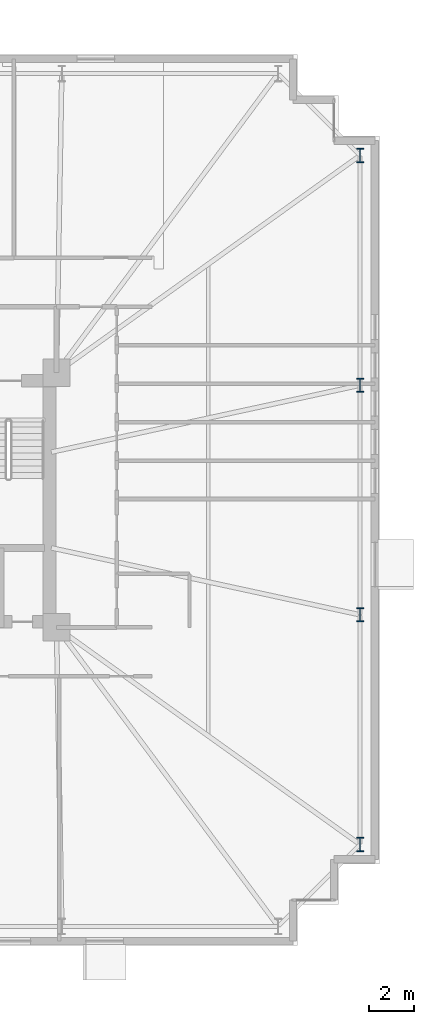
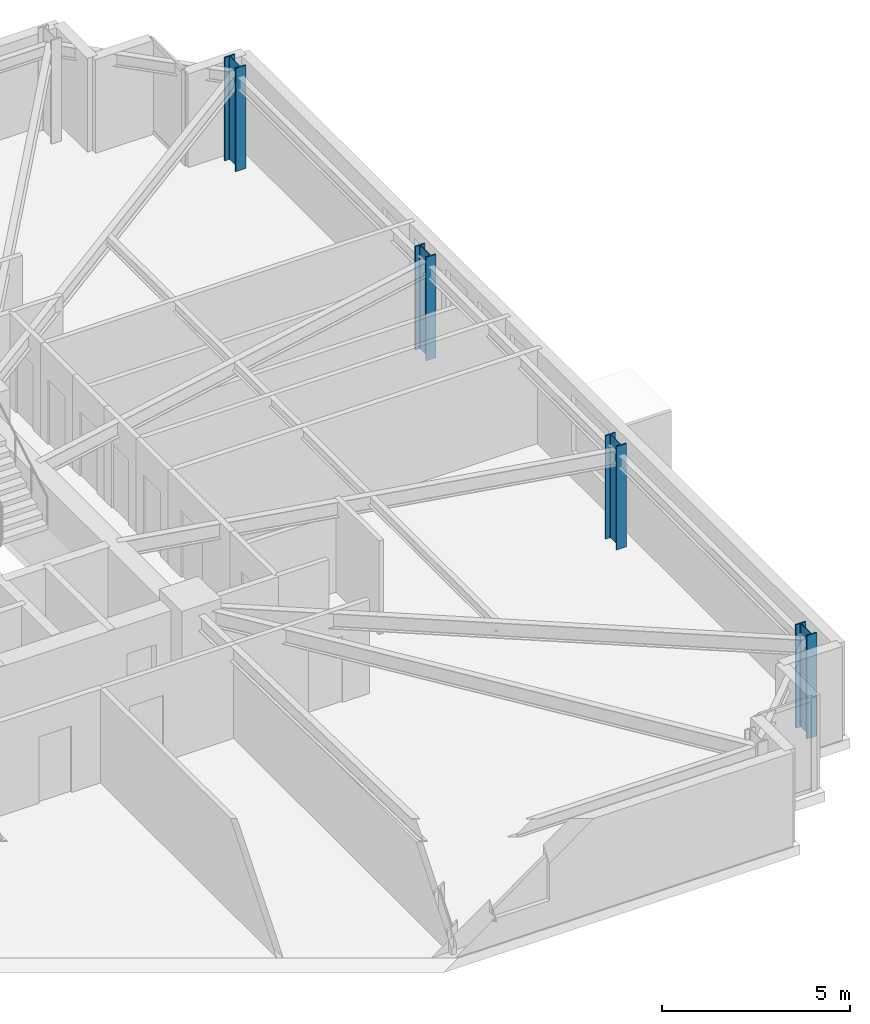
# One storey, part 3 of 22: 4 columns.
"""IFC4 building model written with IfcOpenShell, lengths in metres."""

from ifc_helpers import new_model, si_unit, direction, frame, origin, origin_2d, place, context, subcontext, project, spatial, i_section, extrude, material, material_profile, profile_set, type_object, element, save


model = new_model("IFC4")

# Units and contexts
model_context = context("Model", 3, precision=1e-05, world=origin(), true_north=direction((0.0, 1.0)))
body_context = subcontext(model_context, "Body", "Model", "MODEL_VIEW")
ifc_project = project(units=[si_unit("LENGTHUNIT", "METRE"), si_unit("AREAUNIT", "SQUARE_METRE"), si_unit("VOLUMEUNIT", "CUBIC_METRE"), si_unit("PLANEANGLEUNIT", "RADIAN"), si_unit("MASSUNIT", "GRAM", prefix="KILO")], contexts=[model_context])

# Site, building, storey
site_placement = place(None, origin())
site = spatial("IfcSite", under=ifc_project, at=site_placement, CompositionType="ELEMENT")
building_placement = place(site_placement, origin())
building = spatial("IfcBuilding", under=site, at=building_placement, Name="Qobustan Lattice House", CompositionType="ELEMENT")
storey_placement = place(building_placement, frame((0.0, 0.0, 33.699951171875)))
storey = spatial("IfcBuildingStorey", under=building, at=storey_placement, Name="L08", CompositionType="ELEMENT", Elevation=33.699951171875)

# Columns
ifc_material = material(Name="Steel S460", Category="steel")
ifc_material_profile = material_profile(ifc_material, i_section(OverallWidth=0.304931640625, OverallDepth=0.6201171875, WebThickness=0.02099609375, FlangeThickness=0.0400390625, FilletRadius=0.027099609375, at=origin_2d()), Name="HEM600")
ifc_profile_set = profile_set([ifc_material_profile], Name="Steel S460")
column_type = type_object("IfcColumnType", Name="COL-ST-HEM600", PredefinedType="COLUMN", material=ifc_profile_set)
for number, where, z_axis, x_axis, name in (
    (1, (32.14990234375, -15.14990234375, 0.0), (0.0, 0.0, 1.0), (1.0, 0.0, 0.0), "L08 B1 perimeter column E1"),
    (2, (32.14990234375, -5.050048828125, 0.0), (0.0, 0.0, 1.0), (1.0, 0.0, 0.0), "L08 B1 perimeter column E2"),
    (3, (32.14990234375, 5.050048828125, 0.0), (0.0, 0.0, 1.0), (1.0, 0.0, 0.0), "L08 B1 perimeter column E3"),
    (4, (32.14990234375, 15.14990234375, 0.0), (0.0, 0.0, 1.0), (1.0, 0.0, 0.0), "L08 B1 perimeter column E4"),
):
    element("IfcColumn", number, at=place(storey_placement, frame(where, z_axis=z_axis, x_axis=x_axis)), inside=storey, type_object=column_type, Name=name, PredefinedType="COLUMN", context=body_context, shape_type="SweptSolid", body=[
        extrude(i_section(OverallWidth=0.304931640625, OverallDepth=0.6201171875, WebThickness=0.02099609375, FlangeThickness=0.0400390625, FilletRadius=0.027099609375, at=origin_2d()), origin(), (0.0, 0.0, 1.0), 3.35009765625),
    ])

save(model, "model.ifc")
